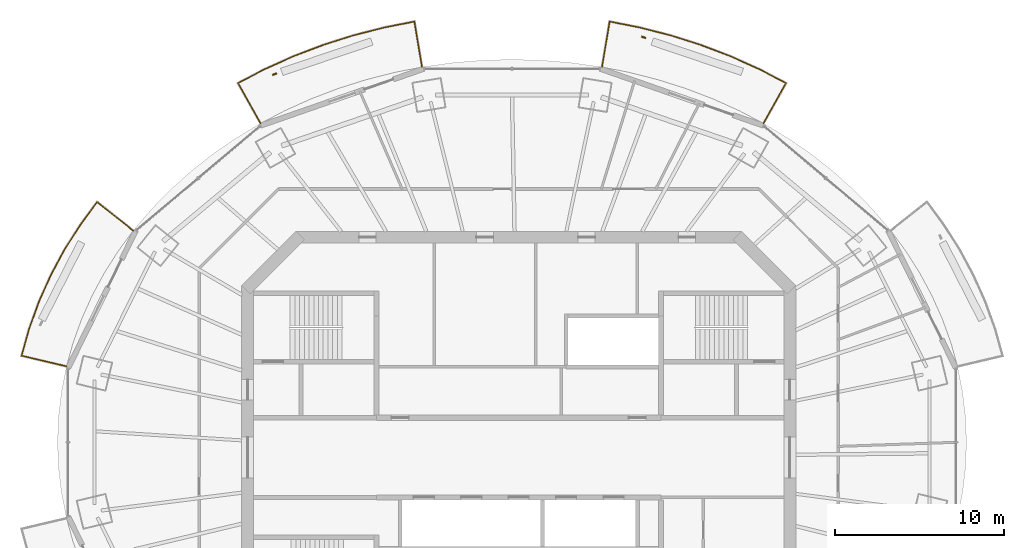
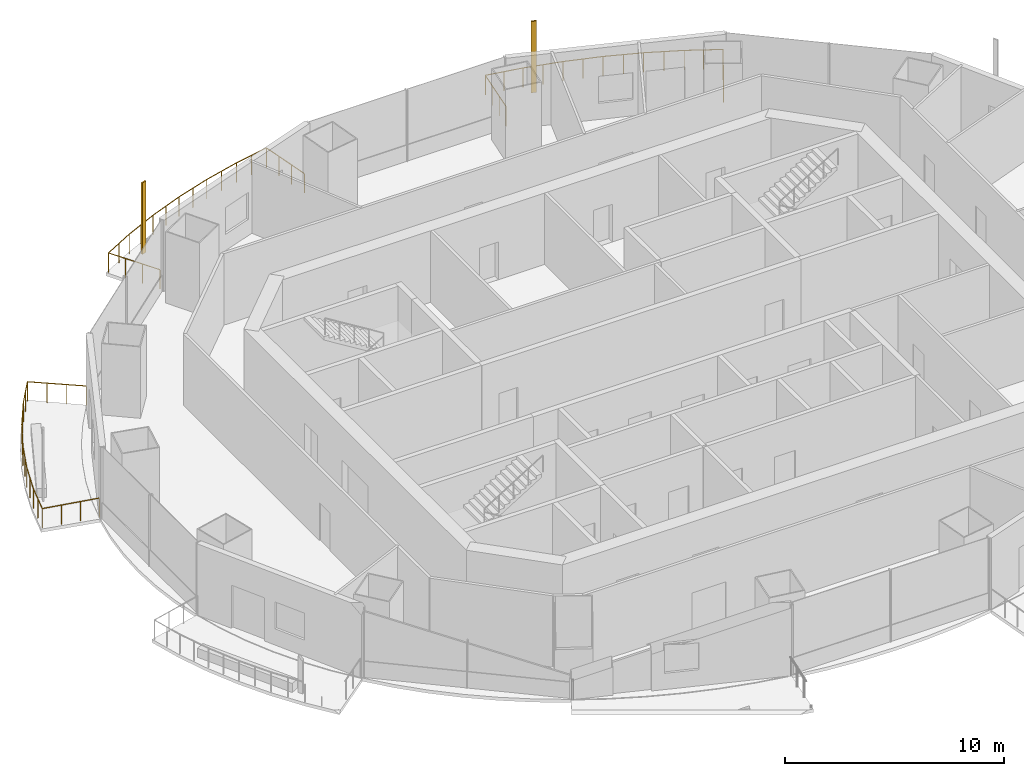
# One storey, part 14 of 16: 3 railings, 2 shading devices.
"""IFC4 building model written with IfcOpenShell, lengths in metres."""

from ifc_helpers import new_model, si_unit, direction, frame, origin, origin_2d, place, context, subcontext, project, spatial, rectangle, circle, extrude, material, material_profile, profile_set, type_object, element, save


model = new_model("IFC4")

# Units and contexts
model_context = context("Model", 3, precision=1e-05, world=origin(), true_north=direction((0.0, 1.0)))
body_context = subcontext(model_context, "Body", "Model", "MODEL_VIEW")
ifc_project = project(units=[si_unit("LENGTHUNIT", "METRE"), si_unit("AREAUNIT", "SQUARE_METRE"), si_unit("VOLUMEUNIT", "CUBIC_METRE"), si_unit("PLANEANGLEUNIT", "RADIAN"), si_unit("MASSUNIT", "GRAM", prefix="KILO")], contexts=[model_context])

# Site, building, storey
site_placement = place(None, origin())
site = spatial("IfcSite", under=ifc_project, at=site_placement, CompositionType="ELEMENT")
building_placement = place(site_placement, origin())
building = spatial("IfcBuilding", under=site, at=building_placement, Name="Marenthal Gate Tower", CompositionType="ELEMENT")
storey_placement = place(building_placement, frame((0.0, 0.0, 350.89990234375)))
storey = spatial("IfcBuildingStorey", under=building, at=storey_placement, Name="L79", CompositionType="ELEMENT", Elevation=350.89990234375)

# Railings
ifc_material_1 = material(Name="Stainless steel", Category="steel")
railing_type = type_object("IfcRailingType", Name="Balcony guard 1100", PredefinedType="GUARDRAIL", material=ifc_material_1)
railing_1_placement = place(storey_placement, frame((4.91259765625, 23.048583984375, 0.0)))
element("IfcRailing", 1, at=railing_1_placement, inside=storey, type_object=railing_type, Name="Balcony guard L79 bay 3", PredefinedType="GUARDRAIL", context=body_context, shape_type="SweptSolid", body=[
    extrude(circle(Radius=0.02392578125, at=origin_2d()), frame((0.0, 0.0, 1.076171875), z_axis=(0.165400035749, 0.986118064464, -0.014628435066), x_axis=(-0.986223591651, 0.165417735658, 0.0)), (0.0, 0.0, 1.0), 2.720458984375),
    extrude(circle(Radius=0.02392578125, at=origin_2d()), frame((0.449951171875, 2.6826171875, 1.0361328125), z_axis=(0.980997608123, -0.194019825938, 0.0), x_axis=(0.194019825938, 0.980997608123, 0.0)), (0.0, 0.0, 1.0), 1.814453125),
    extrude(circle(Radius=0.02392578125, at=origin_2d()), frame((2.22998046875, 2.33056640625, 1.0361328125), z_axis=(0.968882086134, -0.24752273263, 0.0), x_axis=(0.24752273263, 0.968882086134, 0.0)), (0.0, 0.0, 1.0), 1.887939453125),
    extrude(circle(Radius=0.02392578125, at=origin_2d()), frame((4.05908203125, 1.86328125, 1.0361328125), z_axis=(0.953244331297, -0.302200669837, 0.0), x_axis=(0.302200669837, 0.953244331297, 0.0)), (0.0, 0.0, 1.0), 1.879150390625),
    extrude(circle(Radius=0.02392578125, at=origin_2d()), frame((5.850341796875, 1.29541015625, 1.0361328125), z_axis=(0.934241329818, -0.35664146935, 0.0), x_axis=(0.35664146935, 0.934241329818, 0.0)), (0.0, 0.0, 1.0), 1.86962890625),
    extrude(circle(Radius=0.02392578125, at=origin_2d()), frame((7.596923828125, 0.628662109375, 1.0361328125), z_axis=(0.911823143893, -0.410583187992, 0.0), x_axis=(0.410583187992, 0.911823143893, 0.0)), (0.0, 0.0, 1.0), 1.858154296875),
    extrude(circle(Radius=0.02392578125, at=origin_2d()), frame((9.291259765625, -0.13427734375, 1.0361328125), z_axis=(0.886466510694, -0.462792745642, 0.0), x_axis=(0.462792745642, 0.886466510694, 0.0)), (0.0, 0.0, 1.0), 1.76611328125),
    extrude(circle(Radius=0.02392578125, at=origin_2d()), frame((10.85693359375, -0.95166015625, 1.0361328125), z_axis=(-0.490741314417, -0.871182505312, 0.014628901655), x_axis=(0.871275738879, -0.490793833336, 0.0)), (0.0, 0.0, 1.0), 2.72021484375),
    extrude(circle(Radius=0.02099609375, at=origin_2d()), origin(), (0.0, 0.0, 1.0), 1.052001953125),
    extrude(circle(Radius=0.02099609375, at=origin_2d()), frame((0.14990234375, 0.894287109375, -0.01318359375)), (0.0, 0.0, 1.0), 1.052001953125),
    extrude(circle(Radius=0.02099609375, at=origin_2d()), frame((0.300048828125, 1.788330078125, -0.026611328125)), (0.0, 0.0, 1.0), 1.052001953125),
    extrude(circle(Radius=0.02099609375, at=origin_2d()), frame((0.449951171875, 2.6826171875, -0.039794921875)), (0.0, 0.0, 1.0), 1.052001953125),
    extrude(circle(Radius=0.02099609375, at=origin_2d()), frame((1.33984375, 2.506591796875, -0.039794921875)), (0.0, 0.0, 1.0), 1.052001953125),
    extrude(circle(Radius=0.02099609375, at=origin_2d()), frame((2.22998046875, 2.33056640625, -0.039794921875)), (0.0, 0.0, 1.0), 1.052001953125),
    extrude(circle(Radius=0.02099609375, at=origin_2d()), frame((3.14453125, 2.096923828125, -0.039794921875)), (0.0, 0.0, 1.0), 1.052001953125),
    extrude(circle(Radius=0.02099609375, at=origin_2d()), frame((4.05908203125, 1.86328125, -0.039794921875)), (0.0, 0.0, 1.0), 1.052001953125),
    extrude(circle(Radius=0.02099609375, at=origin_2d()), frame((4.95458984375, 1.579345703125, -0.039794921875)), (0.0, 0.0, 1.0), 1.052001953125),
    extrude(circle(Radius=0.02099609375, at=origin_2d()), frame((5.850341796875, 1.29541015625, -0.039794921875)), (0.0, 0.0, 1.0), 1.052001953125),
    extrude(circle(Radius=0.02099609375, at=origin_2d()), frame((6.7236328125, 0.9619140625, -0.039794921875)), (0.0, 0.0, 1.0), 1.052001953125),
    extrude(circle(Radius=0.02099609375, at=origin_2d()), frame((7.596923828125, 0.628662109375, -0.039794921875)), (0.0, 0.0, 1.0), 1.052001953125),
    extrude(circle(Radius=0.02099609375, at=origin_2d()), frame((8.444091796875, 0.2470703125, -0.039794921875)), (0.0, 0.0, 1.0), 1.052001953125),
    extrude(circle(Radius=0.02099609375, at=origin_2d()), frame((9.291259765625, -0.13427734375, -0.039794921875)), (0.0, 0.0, 1.0), 1.052001953125),
    extrude(circle(Radius=0.02099609375, at=origin_2d()), frame((10.07421875, -0.54296875, -0.039794921875)), (0.0, 0.0, 1.0), 1.052001953125),
    extrude(circle(Radius=0.02099609375, at=origin_2d()), frame((10.85693359375, -0.95166015625, -0.039794921875)), (0.0, 0.0, 1.0), 1.052001953125),
    extrude(circle(Radius=0.02099609375, at=origin_2d()), frame((10.411865234375, -1.74169921875, -0.026611328125)), (0.0, 0.0, 1.0), 1.052001953125),
    extrude(circle(Radius=0.02099609375, at=origin_2d()), frame((9.967041015625, -2.531494140625, -0.01318359375)), (0.0, 0.0, 1.0), 1.052001953125),
    extrude(circle(Radius=0.02099609375, at=origin_2d()), frame((9.52197265625, -3.321533203125, 0.0)), (0.0, 0.0, 1.0), 1.052001953125),
])
railing_2_placement = place(storey_placement, frame((-15.234619140625, 19.72705078125, 0.0)))
element("IfcRailing", 2, at=railing_2_placement, inside=storey, type_object=railing_type, Name="Balcony guard L79 bay 5", PredefinedType="GUARDRAIL", context=body_context, shape_type="SweptSolid", body=[
    extrude(circle(Radius=0.02392578125, at=origin_2d()), frame((0.0, 0.0, 1.076171875), z_axis=(-0.490741314417, 0.871182505312, -0.014628901655), x_axis=(-0.871275738879, -0.490793833336, 0.0)), (0.0, 0.0, 1.0), 2.72021484375),
    extrude(circle(Radius=0.02392578125, at=origin_2d()), frame((-1.3349609375, 2.369873046875, 1.0361328125), z_axis=(0.886466510694, 0.462792745642, 0.0), x_axis=(-0.462792745642, 0.886466510694, 0.0)), (0.0, 0.0, 1.0), 1.76611328125),
    extrude(circle(Radius=0.02392578125, at=origin_2d()), frame((0.230712890625, 3.187255859375, 1.0361328125), z_axis=(0.911823143893, 0.410583187992, 0.0), x_axis=(-0.410583187992, 0.911823143893, 0.0)), (0.0, 0.0, 1.0), 1.858154296875),
    extrude(circle(Radius=0.02392578125, at=origin_2d()), frame((1.925048828125, 3.9501953125, 1.0361328125), z_axis=(0.934241329818, 0.35664146935, 0.0), x_axis=(-0.35664146935, 0.934241329818, 0.0)), (0.0, 0.0, 1.0), 1.86962890625),
    extrude(circle(Radius=0.02392578125, at=origin_2d()), frame((3.671630859375, 4.616943359375, 1.0361328125), z_axis=(0.953244331297, 0.302200669837, 0.0), x_axis=(-0.302200669837, 0.953244331297, 0.0)), (0.0, 0.0, 1.0), 1.879150390625),
    extrude(circle(Radius=0.02392578125, at=origin_2d()), frame((5.462890625, 5.184814453125, 1.0361328125), z_axis=(0.968882086134, 0.24752273263, 0.0), x_axis=(-0.24752273263, 0.968882086134, 0.0)), (0.0, 0.0, 1.0), 1.887939453125),
    extrude(circle(Radius=0.02392578125, at=origin_2d()), frame((7.2919921875, 5.652099609375, 1.0361328125), z_axis=(0.981002672046, 0.193994220117, 0.0), x_axis=(-0.193994220117, 0.981002672046, 0.0)), (0.0, 0.0, 1.0), 1.814697265625),
    extrude(circle(Radius=0.02392578125, at=origin_2d()), frame((9.072265625, 6.004150390625, 1.0361328125), z_axis=(0.165312743974, -0.986132698584, 0.014628652154), x_axis=(0.98623823047, 0.165330435068, 0.0)), (0.0, 0.0, 1.0), 2.720458984375),
    extrude(circle(Radius=0.02099609375, at=origin_2d()), origin(), (0.0, 0.0, 1.0), 1.052001953125),
    extrude(circle(Radius=0.02099609375, at=origin_2d()), frame((-0.445068359375, 0.7900390625, -0.01318359375)), (0.0, 0.0, 1.0), 1.052001953125),
    extrude(circle(Radius=0.02099609375, at=origin_2d()), frame((-0.889892578125, 1.579833984375, -0.026611328125)), (0.0, 0.0, 1.0), 1.052001953125),
    extrude(circle(Radius=0.02099609375, at=origin_2d()), frame((-1.3349609375, 2.369873046875, -0.039794921875)), (0.0, 0.0, 1.0), 1.052001953125),
    extrude(circle(Radius=0.02099609375, at=origin_2d()), frame((-0.55224609375, 2.778564453125, -0.039794921875)), (0.0, 0.0, 1.0), 1.052001953125),
    extrude(circle(Radius=0.02099609375, at=origin_2d()), frame((0.230712890625, 3.187255859375, -0.039794921875)), (0.0, 0.0, 1.0), 1.052001953125),
    extrude(circle(Radius=0.02099609375, at=origin_2d()), frame((1.077880859375, 3.56884765625, -0.039794921875)), (0.0, 0.0, 1.0), 1.052001953125),
    extrude(circle(Radius=0.02099609375, at=origin_2d()), frame((1.925048828125, 3.9501953125, -0.039794921875)), (0.0, 0.0, 1.0), 1.052001953125),
    extrude(circle(Radius=0.02099609375, at=origin_2d()), frame((2.79833984375, 4.28369140625, -0.039794921875)), (0.0, 0.0, 1.0), 1.052001953125),
    extrude(circle(Radius=0.02099609375, at=origin_2d()), frame((3.671630859375, 4.616943359375, -0.039794921875)), (0.0, 0.0, 1.0), 1.052001953125),
    extrude(circle(Radius=0.02099609375, at=origin_2d()), frame((4.5673828125, 4.90087890625, -0.039794921875)), (0.0, 0.0, 1.0), 1.052001953125),
    extrude(circle(Radius=0.02099609375, at=origin_2d()), frame((5.462890625, 5.184814453125, -0.039794921875)), (0.0, 0.0, 1.0), 1.052001953125),
    extrude(circle(Radius=0.02099609375, at=origin_2d()), frame((6.37744140625, 5.41845703125, -0.039794921875)), (0.0, 0.0, 1.0), 1.052001953125),
    extrude(circle(Radius=0.02099609375, at=origin_2d()), frame((7.2919921875, 5.652099609375, -0.039794921875)), (0.0, 0.0, 1.0), 1.052001953125),
    extrude(circle(Radius=0.02099609375, at=origin_2d()), frame((8.18212890625, 5.828125, -0.039794921875)), (0.0, 0.0, 1.0), 1.052001953125),
    extrude(circle(Radius=0.02099609375, at=origin_2d()), frame((9.072265625, 6.004150390625, -0.039794921875)), (0.0, 0.0, 1.0), 1.052001953125),
    extrude(circle(Radius=0.02099609375, at=origin_2d()), frame((9.22216796875, 5.10986328125, -0.026611328125)), (0.0, 0.0, 1.0), 1.052001953125),
    extrude(circle(Radius=0.02099609375, at=origin_2d()), frame((9.3720703125, 4.2158203125, -0.01318359375)), (0.0, 0.0, 1.0), 1.052001953125),
    extrude(circle(Radius=0.02099609375, at=origin_2d()), frame((9.52197265625, 3.321533203125, 0.0)), (0.0, 0.0, 1.0), 1.052001953125),
])
railing_3_placement = place(storey_placement, frame((-26.693115234375, 5.38623046875, 0.0)))
element("IfcRailing", 3, at=railing_3_placement, inside=storey, type_object=railing_type, Name="Balcony guard L79 bay 7", PredefinedType="GUARDRAIL", context=body_context, shape_type="SweptSolid", body=[
    extrude(circle(Radius=0.02392578125, at=origin_2d()), frame((0.0, 0.0, 1.076171875), z_axis=(-0.973183391678, 0.229565023599, -0.014628263818), x_axis=(-0.229589589404, -0.973287532252, 0.0)), (0.0, 0.0, 1.0), 2.720458984375),
    extrude(circle(Radius=0.02392578125, at=origin_2d()), frame((-2.6474609375, 0.62451171875, 1.0361328125), z_axis=(0.268568220157, 0.963260666238, 0.0), x_axis=(-0.963260666238, 0.268568220157, 0.0)), (0.0, 0.0, 1.0), 1.620849609375),
    extrude(circle(Radius=0.02392578125, at=origin_2d()), frame((-2.212158203125, 2.185791015625, 1.0361328125), z_axis=(0.338906739097, 0.940819973318, 0.0), x_axis=(-0.940819973318, 0.338906739097, 0.0)), (0.0, 0.0, 1.0), 1.7080078125),
    extrude(circle(Radius=0.02392578125, at=origin_2d()), frame((-1.63330078125, 3.792724609375, 1.0361328125), z_axis=(0.407879524978, 0.91303575675, 0.0), x_axis=(-0.91303575675, 0.407879524978, 0.0)), (0.0, 0.0, 1.0), 1.716552734375),
    extrude(circle(Radius=0.02392578125, at=origin_2d()), frame((-0.93310546875, 5.360107421875, 1.0361328125), z_axis=(0.473652895145, 0.880711607123, 0.0), x_axis=(-0.880711607123, 0.473652895145, 0.0)), (0.0, 0.0, 1.0), 1.726806640625),
    extrude(circle(Radius=0.02392578125, at=origin_2d()), frame((-0.115234375, 6.880859375, 1.0361328125), z_axis=(0.535757035565, 0.84437219213, 0.0), x_axis=(-0.84437219213, 0.535757035565, 0.0)), (0.0, 0.0, 1.0), 1.738037109375),
    extrude(circle(Radius=0.02392578125, at=origin_2d()), frame((0.81591796875, 8.348388671875, 1.0361328125), z_axis=(0.592585720086, 0.80550739559, 0.0), x_axis=(-0.80550739559, 0.592585720086, 0.0)), (0.0, 0.0, 1.0), 1.670654296875),
    extrude(circle(Radius=0.02392578125, at=origin_2d()), frame((1.805908203125, 9.694091796875, 1.0361328125), z_axis=(0.783657872761, -0.621020366697, 0.014630195082), x_axis=(0.621086839778, 0.783741754314, 0.0)), (0.0, 0.0, 1.0), 2.719970703125),
    extrude(circle(Radius=0.02099609375, at=origin_2d()), origin(), (0.0, 0.0, 1.0), 1.052001953125),
    extrude(circle(Radius=0.02099609375, at=origin_2d()), frame((-0.882568359375, 0.208251953125, -0.01318359375)), (0.0, 0.0, 1.0), 1.052001953125),
    extrude(circle(Radius=0.02099609375, at=origin_2d()), frame((-1.764892578125, 0.416259765625, -0.026611328125)), (0.0, 0.0, 1.0), 1.052001953125),
    extrude(circle(Radius=0.02099609375, at=origin_2d()), frame((-2.6474609375, 0.62451171875, -0.039794921875)), (0.0, 0.0, 1.0), 1.052001953125),
    extrude(circle(Radius=0.02099609375, at=origin_2d()), frame((-2.4296875, 1.4052734375, -0.039794921875)), (0.0, 0.0, 1.0), 1.052001953125),
    extrude(circle(Radius=0.02099609375, at=origin_2d()), frame((-2.212158203125, 2.185791015625, -0.039794921875)), (0.0, 0.0, 1.0), 1.052001953125),
    extrude(circle(Radius=0.02099609375, at=origin_2d()), frame((-1.9228515625, 2.9892578125, -0.039794921875)), (0.0, 0.0, 1.0), 1.052001953125),
    extrude(circle(Radius=0.02099609375, at=origin_2d()), frame((-1.63330078125, 3.792724609375, -0.039794921875)), (0.0, 0.0, 1.0), 1.052001953125),
    extrude(circle(Radius=0.02099609375, at=origin_2d()), frame((-1.283203125, 4.576416015625, -0.039794921875)), (0.0, 0.0, 1.0), 1.052001953125),
    extrude(circle(Radius=0.02099609375, at=origin_2d()), frame((-0.93310546875, 5.360107421875, -0.039794921875)), (0.0, 0.0, 1.0), 1.052001953125),
    extrude(circle(Radius=0.02099609375, at=origin_2d()), frame((-0.524169921875, 6.12060546875, -0.039794921875)), (0.0, 0.0, 1.0), 1.052001953125),
    extrude(circle(Radius=0.02099609375, at=origin_2d()), frame((-0.115234375, 6.880859375, -0.039794921875)), (0.0, 0.0, 1.0), 1.052001953125),
    extrude(circle(Radius=0.02099609375, at=origin_2d()), frame((0.350341796875, 7.61474609375, -0.039794921875)), (0.0, 0.0, 1.0), 1.052001953125),
    extrude(circle(Radius=0.02099609375, at=origin_2d()), frame((0.81591796875, 8.348388671875, -0.039794921875)), (0.0, 0.0, 1.0), 1.052001953125),
    extrude(circle(Radius=0.02099609375, at=origin_2d()), frame((1.31103515625, 9.021240234375, -0.039794921875)), (0.0, 0.0, 1.0), 1.052001953125),
    extrude(circle(Radius=0.02099609375, at=origin_2d()), frame((1.805908203125, 9.694091796875, -0.039794921875)), (0.0, 0.0, 1.0), 1.052001953125),
    extrude(circle(Radius=0.02099609375, at=origin_2d()), frame((2.516357421875, 9.131103515625, -0.026611328125)), (0.0, 0.0, 1.0), 1.052001953125),
    extrude(circle(Radius=0.02099609375, at=origin_2d()), frame((3.22705078125, 8.56787109375, -0.01318359375)), (0.0, 0.0, 1.0), 1.052001953125),
    extrude(circle(Radius=0.02099609375, at=origin_2d()), frame((3.9375, 8.0048828125, 0.0)), (0.0, 0.0, 1.0), 1.052001953125),
])

# Shading devices
ifc_material_2 = material(Name="Terracotta", Category="masonry")
ifc_material_profile = material_profile(ifc_material_2, rectangle(XDim=0.25, YDim=0.080078125, at=origin_2d()), Name="Terracotta baguette 250x80")
ifc_profile_set = profile_set([ifc_material_profile], Name="Terracotta")
shading_device_type = type_object("IfcShadingDeviceType", Name="Terracotta BAGUETTE SCREEN 250x80", PredefinedType="USERDEFINED", material=ifc_profile_set)
for number, where, z_axis, x_axis, name in (
    (4, (7.371826171875, 24.802978515625, -0.039794921875), (0.0, 0.0, 1.0), (-0.944152186109, 0.32950971073, 0.0), "Terracotta BAGUETTE L79 bay 3R"),
    (5, (-14.41064453125, 22.62548828125, -0.039794921875), (0.0, 0.0, 1.0), (-0.944152186109, -0.32950971073, 0.0), "Terracotta BAGUETTE L79 bay 5R"),
):
    element("IfcShadingDevice", number, at=place(storey_placement, frame(where, z_axis=z_axis, x_axis=x_axis)), inside=storey, type_object=shading_device_type, Name=name, ObjectType="BAGUETTE SCREEN", PredefinedType="USERDEFINED", context=body_context, shape_type="SweptSolid", body=[
        extrude(rectangle(XDim=0.25, YDim=0.080078125, at=origin_2d()), origin(), (0.0, 0.0, 1.0), 3.969970703125),
    ])

save(model, "model.ifc")
